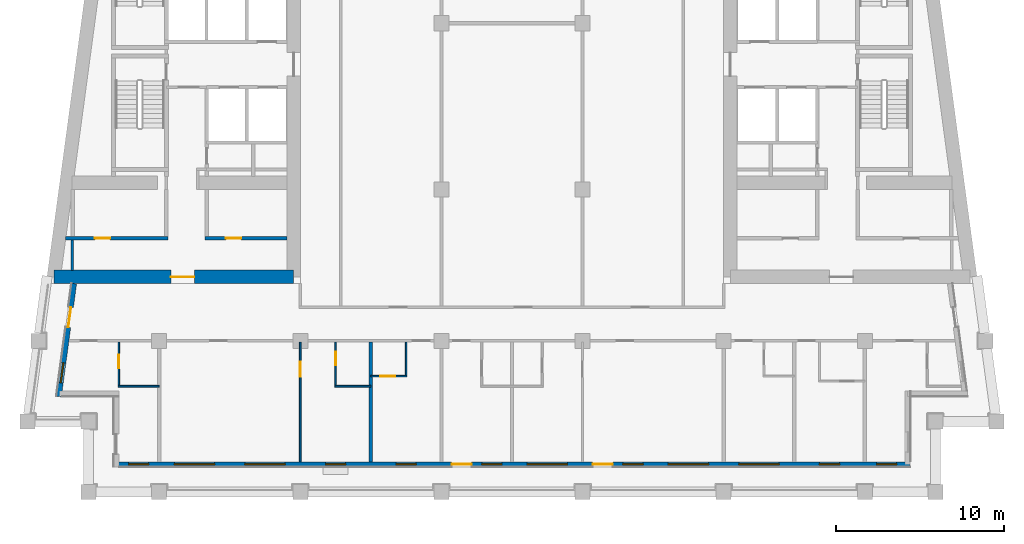
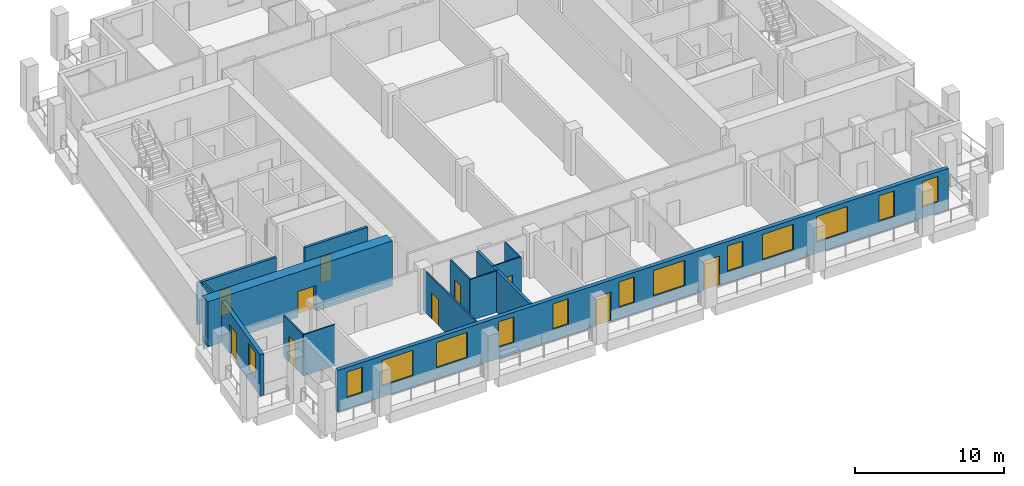
# One storey, part 2 of 12: 14 walls, 13 windows, 10 doors, 23 openings.
"""IFC4 building model written with IfcOpenShell, lengths in metres."""

from ifc_helpers import new_model, si_unit, direction, frame, frame_2d, origin, place, context, subcontext, project, spatial, rectangle, extrude, material, layer, layer_set, type_object, element, fill, save


model = new_model("IFC4")

# Units and contexts
model_context = context("Model", 3, precision=1e-05, world=origin(), true_north=direction((0.0, 1.0)))
body_context = subcontext(model_context, "Body", "Model", "MODEL_VIEW")
ifc_project = project(units=[si_unit("LENGTHUNIT", "METRE"), si_unit("AREAUNIT", "SQUARE_METRE"), si_unit("VOLUMEUNIT", "CUBIC_METRE"), si_unit("PLANEANGLEUNIT", "RADIAN"), si_unit("MASSUNIT", "GRAM", prefix="KILO")], contexts=[model_context])

# Site, building, storey
site_placement = place(None, origin())
site = spatial("IfcSite", under=ifc_project, at=site_placement, CompositionType="ELEMENT")
building_placement = place(site_placement, origin())
building = spatial("IfcBuilding", under=site, at=building_placement, Name="Candeia Pilgrim Tower and Theatre", CompositionType="ELEMENT")
storey_placement = place(building_placement, frame((0.0, 0.0, 231.800048828125)))
storey = spatial("IfcBuildingStorey", under=building, at=storey_placement, Name="L56", CompositionType="ELEMENT", Elevation=231.800048828125)

# Wall, opening, door
ifc_material_1 = material(Name="Concrete C50/60", Category="concrete")
ifc_layer_1 = layer(ifc_material_1, 0.800048828125)
ifc_layer_set_1 = layer_set([ifc_layer_1], Name="Core wall 800 C50/60")
wall_type_1 = type_object("IfcWallType", Name="Core wall 800 C50/60", PredefinedType="SHEAR", material=ifc_layer_set_1)
wall_1_placement = place(storey_placement, frame((100.39990234375, 110.800048828125, 0.0), z_axis=(0.0, 0.0, 1.0), x_axis=(-1.0, 0.0, 0.0)))
wall_1 = element("IfcWall", 1, at=wall_1_placement, inside=storey, type_object=wall_type_1, Name="Core wall W3", PredefinedType="SHEAR", context=body_context, shape_type="SweptSolid", body=[
    extrude(rectangle(XDim=14.273193359375, YDim=0.800048828125, at=frame_2d((7.13671875, 0.0))), origin(), (0.0, 0.0, 1.0), 3.699951171875),
])
opening_1_placement = place(wall_1_placement, frame((5.907958984375, 0.0, 0.0)))
opening_1 = element("IfcOpeningElement", 2, at=opening_1_placement, cuts=wall_1, Name="Opening L56-D045", PredefinedType="OPENING", context=body_context, shape_type="SweptSolid", body=[
    extrude(rectangle(XDim=1.39990234375, YDim=2.10009765625, at=frame_2d((0.699951171875, 1.050048828125))), frame((0.0, 0.41015625, 0.0), z_axis=(0.0, -1.0, 0.0), x_axis=(1.0, 0.0, 0.0)), (0.0, 0.0, 1.0), 0.820068359375),
])
ifc_material_2 = material(Name="Steel fire door set", Category="steel")
door_type_1 = type_object("IfcDoorType", Name="D-1400-FD60", OperationType="NOTDEFINED", PredefinedType="DOOR", material=ifc_material_2)
door_1_placement = place(opening_1_placement, origin())
door_1 = element("IfcDoor", 3, at=door_1_placement, inside=storey, type_object=door_type_1, Name="Door L56-D045", OperationType="SINGLE_SWING_LEFT", OverallHeight=2.10009765625, OverallWidth=1.39990234375, PredefinedType="DOOR", context=body_context, shape_type="SweptSolid", body=[
    extrude(rectangle(XDim=1.39990234375, YDim=2.10009765625, at=frame_2d((0.699951171875, 1.050048828125))), frame((0.0, 0.02490234375, 0.0), z_axis=(0.0, -1.0, 0.0), x_axis=(1.0, 0.0, 0.0)), (0.0, 0.0, 1.0), 0.050048828125),
])
fill(opening_1, door_1)

# Wall, openings, doors, windows
ifc_material_3 = material(Name="Ceramic block masonry", Category="masonry")
ifc_layer_2 = layer(ifc_material_3, 0.300048828125)
ifc_layer_set_2 = layer_set([ifc_layer_2], Name="EW1 glazing-line wall 300")
wall_type_2 = type_object("IfcWallType", Name="EW1 glazing-line wall 300", PredefinedType="SOLIDWALL", material=ifc_layer_set_2)
wall_2_placement = place(storey_placement, frame((89.85009765625, 99.64990234375, 0.0), z_axis=(0.0, 0.0, 1.0), x_axis=(1.0, 0.0, 0.0)))
wall_2 = element("IfcWall", 4, at=wall_2_placement, inside=storey, type_object=wall_type_2, Name="External wall L56-0.0", PredefinedType="SOLIDWALL", context=body_context, shape_type="SweptSolid", body=[
    extrude(rectangle(XDim=47.25, YDim=0.300048828125, at=frame_2d((23.625, 0.0))), origin(), (0.0, 0.0, 1.0), 3.3798828125),
])
opening_2_placement = place(wall_2_placement, frame((0.72509765625, 0.0, 0.89990234375)))
opening_2 = element("IfcOpeningElement", 5, at=opening_2_placement, cuts=wall_2, Name="Opening W-B", PredefinedType="OPENING", context=body_context, shape_type="SweptSolid", body=[
    extrude(rectangle(XDim=1.199951171875, YDim=2.10009765625, at=frame_2d((0.60009765625, 1.050048828125))), frame((0.0, 0.16015625, 0.0), z_axis=(0.0, -1.0, 0.0), x_axis=(1.0, 0.0, 0.0)), (0.0, 0.0, 1.0), 0.320068359375),
])
opening_3_placement = place(wall_2_placement, frame((3.449951171875, 0.0, 0.89990234375)))
opening_3 = element("IfcOpeningElement", 6, at=opening_3_placement, cuts=wall_2, Name="Opening W-A", PredefinedType="OPENING", context=body_context, shape_type="SweptSolid", body=[
    extrude(rectangle(XDim=2.39990234375, YDim=2.10009765625, at=frame_2d((1.199951171875, 1.050048828125))), frame((0.0, 0.16015625, 0.0), z_axis=(0.0, -1.0, 0.0), x_axis=(1.0, 0.0, 0.0)), (0.0, 0.0, 1.0), 0.320068359375),
])
opening_4_placement = place(wall_2_placement, frame((7.64990234375, 0.0, 0.89990234375)))
opening_4 = element("IfcOpeningElement", 7, at=opening_4_placement, cuts=wall_2, Name="Opening W-A", PredefinedType="OPENING", context=body_context, shape_type="SweptSolid", body=[
    extrude(rectangle(XDim=2.39990234375, YDim=2.10009765625, at=frame_2d((1.199951171875, 1.050048828125))), frame((0.0, 0.16015625, 0.0), z_axis=(0.0, -1.0, 0.0), x_axis=(1.0, 0.0, 0.0)), (0.0, 0.0, 1.0), 0.320068359375),
])
opening_5_placement = place(wall_2_placement, frame((12.449951171875, 0.0, 0.89990234375)))
opening_5 = element("IfcOpeningElement", 8, at=opening_5_placement, cuts=wall_2, Name="Opening W-B", PredefinedType="OPENING", context=body_context, shape_type="SweptSolid", body=[
    extrude(rectangle(XDim=1.199951171875, YDim=2.10009765625, at=frame_2d((0.60009765625, 1.050048828125))), frame((0.0, 0.16015625, 0.0), z_axis=(0.0, -1.0, 0.0), x_axis=(1.0, 0.0, 0.0)), (0.0, 0.0, 1.0), 0.320068359375),
])
opening_6_placement = place(wall_2_placement, frame((16.64990234375, 0.0, 0.89990234375)))
opening_6 = element("IfcOpeningElement", 9, at=opening_6_placement, cuts=wall_2, Name="Opening W-B", PredefinedType="OPENING", context=body_context, shape_type="SweptSolid", body=[
    extrude(rectangle(XDim=1.199951171875, YDim=2.10009765625, at=frame_2d((0.60009765625, 1.050048828125))), frame((0.0, 0.16015625, 0.0), z_axis=(0.0, -1.0, 0.0), x_axis=(1.0, 0.0, 0.0)), (0.0, 0.0, 1.0), 0.320068359375),
])
opening_7_placement = place(wall_2_placement, frame((19.949951171875, 0.0, 0.0)))
opening_7 = element("IfcOpeningElement", 10, at=opening_7_placement, cuts=wall_2, Name="Opening L56-ED535", PredefinedType="OPENING", context=body_context, shape_type="SweptSolid", body=[
    extrude(rectangle(XDim=1.199951171875, YDim=2.39990234375, at=frame_2d((0.60009765625, 1.199951171875))), frame((0.0, 0.16015625, 0.0), z_axis=(0.0, -1.0, 0.0), x_axis=(1.0, 0.0, 0.0)), (0.0, 0.0, 1.0), 0.320068359375),
])
opening_8_placement = place(wall_2_placement, frame((21.75, 0.0, 0.89990234375)))
opening_8 = element("IfcOpeningElement", 11, at=opening_8_placement, cuts=wall_2, Name="Opening W-B", PredefinedType="OPENING", context=body_context, shape_type="SweptSolid", body=[
    extrude(rectangle(XDim=1.199951171875, YDim=2.10009765625, at=frame_2d((0.60009765625, 1.050048828125))), frame((0.0, 0.16015625, 0.0), z_axis=(0.0, -1.0, 0.0), x_axis=(1.0, 0.0, 0.0)), (0.0, 0.0, 1.0), 0.320068359375),
])
opening_9_placement = place(wall_2_placement, frame((24.449951171875, 0.0, 0.89990234375)))
opening_9 = element("IfcOpeningElement", 12, at=opening_9_placement, cuts=wall_2, Name="Opening W-A", PredefinedType="OPENING", context=body_context, shape_type="SweptSolid", body=[
    extrude(rectangle(XDim=2.39990234375, YDim=2.10009765625, at=frame_2d((1.199951171875, 1.050048828125))), frame((0.0, 0.16015625, 0.0), z_axis=(0.0, -1.0, 0.0), x_axis=(1.0, 0.0, 0.0)), (0.0, 0.0, 1.0), 0.320068359375),
])
opening_10_placement = place(wall_2_placement, frame((28.35009765625, 0.0, 0.0)))
opening_10 = element("IfcOpeningElement", 13, at=opening_10_placement, cuts=wall_2, Name="Opening L56-ED536", PredefinedType="OPENING", context=body_context, shape_type="SweptSolid", body=[
    extrude(rectangle(XDim=1.199951171875, YDim=2.39990234375, at=frame_2d((0.60009765625, 1.199951171875))), frame((0.0, 0.16015625, 0.0), z_axis=(0.0, -1.0, 0.0), x_axis=(1.0, 0.0, 0.0)), (0.0, 0.0, 1.0), 0.320068359375),
])
opening_11_placement = place(wall_2_placement, frame((30.14990234375, 0.0, 0.89990234375)))
opening_11 = element("IfcOpeningElement", 14, at=opening_11_placement, cuts=wall_2, Name="Opening W-B", PredefinedType="OPENING", context=body_context, shape_type="SweptSolid", body=[
    extrude(rectangle(XDim=1.199951171875, YDim=2.10009765625, at=frame_2d((0.60009765625, 1.050048828125))), frame((0.0, 0.16015625, 0.0), z_axis=(0.0, -1.0, 0.0), x_axis=(1.0, 0.0, 0.0)), (0.0, 0.0, 1.0), 0.320068359375),
])
opening_12_placement = place(wall_2_placement, frame((32.85009765625, 0.0, 0.89990234375)))
opening_12 = element("IfcOpeningElement", 15, at=opening_12_placement, cuts=wall_2, Name="Opening W-A", PredefinedType="OPENING", context=body_context, shape_type="SweptSolid", body=[
    extrude(rectangle(XDim=2.39990234375, YDim=2.10009765625, at=frame_2d((1.199951171875, 1.050048828125))), frame((0.0, 0.16015625, 0.0), z_axis=(0.0, -1.0, 0.0), x_axis=(1.0, 0.0, 0.0)), (0.0, 0.0, 1.0), 0.320068359375),
])
opening_13_placement = place(wall_2_placement, frame((37.050048828125, 0.0, 0.89990234375)))
opening_13 = element("IfcOpeningElement", 16, at=opening_13_placement, cuts=wall_2, Name="Opening W-A", PredefinedType="OPENING", context=body_context, shape_type="SweptSolid", body=[
    extrude(rectangle(XDim=2.39990234375, YDim=2.10009765625, at=frame_2d((1.199951171875, 1.050048828125))), frame((0.0, 0.16015625, 0.0), z_axis=(0.0, -1.0, 0.0), x_axis=(1.0, 0.0, 0.0)), (0.0, 0.0, 1.0), 0.320068359375),
])
opening_14_placement = place(wall_2_placement, frame((41.85009765625, 0.0, 0.89990234375)))
opening_14 = element("IfcOpeningElement", 17, at=opening_14_placement, cuts=wall_2, Name="Opening W-B", PredefinedType="OPENING", context=body_context, shape_type="SweptSolid", body=[
    extrude(rectangle(XDim=1.199951171875, YDim=2.10009765625, at=frame_2d((0.60009765625, 1.050048828125))), frame((0.0, 0.16015625, 0.0), z_axis=(0.0, -1.0, 0.0), x_axis=(1.0, 0.0, 0.0)), (0.0, 0.0, 1.0), 0.320068359375),
])
opening_15_placement = place(wall_2_placement, frame((45.25, 0.0, 0.89990234375)))
opening_15 = element("IfcOpeningElement", 18, at=opening_15_placement, cuts=wall_2, Name="Opening W-B", PredefinedType="OPENING", context=body_context, shape_type="SweptSolid", body=[
    extrude(rectangle(XDim=1.199951171875, YDim=2.10009765625, at=frame_2d((0.60009765625, 1.050048828125))), frame((0.0, 0.16015625, 0.0), z_axis=(0.0, -1.0, 0.0), x_axis=(1.0, 0.0, 0.0)), (0.0, 0.0, 1.0), 0.320068359375),
])
ifc_material_4 = material(Name="Aluminium framed glazed door", Category="aluminium")
door_type_2 = type_object("IfcDoorType", Name="Loggia door 1200x2400", OperationType="DOUBLE_DOOR_SINGLE_SWING", PredefinedType="DOOR", material=ifc_material_4)
door_2_placement = place(opening_7_placement, origin())
door_2 = element("IfcDoor", 19, at=door_2_placement, inside=storey, type_object=door_type_2, Name="Loggia door L56-ED535", OperationType="DOUBLE_DOOR_SINGLE_SWING", OverallHeight=2.39990234375, OverallWidth=1.199951171875, PredefinedType="DOOR", context=body_context, shape_type="SweptSolid", body=[
    extrude(rectangle(XDim=1.199951171875, YDim=2.39990234375, at=frame_2d((0.60009765625, 1.199951171875))), frame((0.0, 0.02490234375, 0.0), z_axis=(0.0, -1.0, 0.0), x_axis=(1.0, 0.0, 0.0)), (0.0, 0.0, 1.0), 0.050048828125),
])
fill(opening_7, door_2)
door_3_placement = place(opening_10_placement, origin())
door_3 = element("IfcDoor", 20, at=door_3_placement, inside=storey, type_object=door_type_2, Name="Loggia door L56-ED536", OperationType="DOUBLE_DOOR_SINGLE_SWING", OverallHeight=2.39990234375, OverallWidth=1.199951171875, PredefinedType="DOOR", context=body_context, shape_type="SweptSolid", body=[
    extrude(rectangle(XDim=1.199951171875, YDim=2.39990234375, at=frame_2d((0.60009765625, 1.199951171875))), frame((0.0, 0.02490234375, 0.0), z_axis=(0.0, -1.0, 0.0), x_axis=(1.0, 0.0, 0.0)), (0.0, 0.0, 1.0), 0.050048828125),
])
fill(opening_10, door_3)
ifc_material_5 = material(Name="Aluminium framed double glazing", Category="aluminium")
window_type_1 = type_object("IfcWindowType", Name="W-A window 2400x2100", PartitioningType="DOUBLE_PANEL_VERTICAL", PredefinedType="WINDOW", material=ifc_material_5)
window_1_placement = place(opening_3_placement, origin())
window_1 = element("IfcWindow", 21, at=window_1_placement, inside=storey, type_object=window_type_1, Name="Window W-A L56", OverallHeight=2.10009765625, OverallWidth=2.39990234375, PartitioningType="SINGLE_PANEL", PredefinedType="WINDOW", context=body_context, shape_type="SweptSolid", body=[
    extrude(rectangle(XDim=2.39990234375, YDim=2.10009765625, at=frame_2d((1.199951171875, 1.050048828125))), frame((0.0, 0.030029296875, 0.0), z_axis=(0.0, -1.0, 0.0), x_axis=(1.0, 0.0, 0.0)), (0.0, 0.0, 1.0), 0.06005859375),
])
fill(opening_3, window_1)
window_2_placement = place(opening_4_placement, origin())
window_2 = element("IfcWindow", 22, at=window_2_placement, inside=storey, type_object=window_type_1, Name="Window W-A L56", OverallHeight=2.10009765625, OverallWidth=2.39990234375, PartitioningType="SINGLE_PANEL", PredefinedType="WINDOW", context=body_context, shape_type="SweptSolid", body=[
    extrude(rectangle(XDim=2.39990234375, YDim=2.10009765625, at=frame_2d((1.199951171875, 1.050048828125))), frame((0.0, 0.030029296875, 0.0), z_axis=(0.0, -1.0, 0.0), x_axis=(1.0, 0.0, 0.0)), (0.0, 0.0, 1.0), 0.06005859375),
])
fill(opening_4, window_2)
window_3_placement = place(opening_9_placement, origin())
window_3 = element("IfcWindow", 23, at=window_3_placement, inside=storey, type_object=window_type_1, Name="Window W-A L56", OverallHeight=2.10009765625, OverallWidth=2.39990234375, PartitioningType="SINGLE_PANEL", PredefinedType="WINDOW", context=body_context, shape_type="SweptSolid", body=[
    extrude(rectangle(XDim=2.39990234375, YDim=2.10009765625, at=frame_2d((1.199951171875, 1.050048828125))), frame((0.0, 0.030029296875, 0.0), z_axis=(0.0, -1.0, 0.0), x_axis=(1.0, 0.0, 0.0)), (0.0, 0.0, 1.0), 0.06005859375),
])
fill(opening_9, window_3)
window_4_placement = place(opening_12_placement, origin())
window_4 = element("IfcWindow", 24, at=window_4_placement, inside=storey, type_object=window_type_1, Name="Window W-A L56", OverallHeight=2.10009765625, OverallWidth=2.39990234375, PartitioningType="SINGLE_PANEL", PredefinedType="WINDOW", context=body_context, shape_type="SweptSolid", body=[
    extrude(rectangle(XDim=2.39990234375, YDim=2.10009765625, at=frame_2d((1.199951171875, 1.050048828125))), frame((0.0, 0.030029296875, 0.0), z_axis=(0.0, -1.0, 0.0), x_axis=(1.0, 0.0, 0.0)), (0.0, 0.0, 1.0), 0.06005859375),
])
fill(opening_12, window_4)
window_5_placement = place(opening_13_placement, origin())
window_5 = element("IfcWindow", 25, at=window_5_placement, inside=storey, type_object=window_type_1, Name="Window W-A L56", OverallHeight=2.10009765625, OverallWidth=2.39990234375, PartitioningType="SINGLE_PANEL", PredefinedType="WINDOW", context=body_context, shape_type="SweptSolid", body=[
    extrude(rectangle(XDim=2.39990234375, YDim=2.10009765625, at=frame_2d((1.199951171875, 1.050048828125))), frame((0.0, 0.030029296875, 0.0), z_axis=(0.0, -1.0, 0.0), x_axis=(1.0, 0.0, 0.0)), (0.0, 0.0, 1.0), 0.06005859375),
])
fill(opening_13, window_5)
window_type_2 = type_object("IfcWindowType", Name="W-B window 1200x2100", PartitioningType="SINGLE_PANEL", PredefinedType="WINDOW", material=ifc_material_5)
window_6_placement = place(opening_2_placement, origin())
window_6 = element("IfcWindow", 26, at=window_6_placement, inside=storey, type_object=window_type_2, Name="Window W-B L56", OverallHeight=2.10009765625, OverallWidth=1.199951171875, PartitioningType="SINGLE_PANEL", PredefinedType="WINDOW", context=body_context, shape_type="SweptSolid", body=[
    extrude(rectangle(XDim=1.199951171875, YDim=2.10009765625, at=frame_2d((0.60009765625, 1.050048828125))), frame((0.0, 0.030029296875, 0.0), z_axis=(0.0, -1.0, 0.0), x_axis=(1.0, 0.0, 0.0)), (0.0, 0.0, 1.0), 0.06005859375),
])
fill(opening_2, window_6)
window_7_placement = place(opening_5_placement, origin())
window_7 = element("IfcWindow", 27, at=window_7_placement, inside=storey, type_object=window_type_2, Name="Window W-B L56", OverallHeight=2.10009765625, OverallWidth=1.199951171875, PartitioningType="SINGLE_PANEL", PredefinedType="WINDOW", context=body_context, shape_type="SweptSolid", body=[
    extrude(rectangle(XDim=1.199951171875, YDim=2.10009765625, at=frame_2d((0.60009765625, 1.050048828125))), frame((0.0, 0.030029296875, 0.0), z_axis=(0.0, -1.0, 0.0), x_axis=(1.0, 0.0, 0.0)), (0.0, 0.0, 1.0), 0.06005859375),
])
fill(opening_5, window_7)
window_8_placement = place(opening_6_placement, origin())
window_8 = element("IfcWindow", 28, at=window_8_placement, inside=storey, type_object=window_type_2, Name="Window W-B L56", OverallHeight=2.10009765625, OverallWidth=1.199951171875, PartitioningType="SINGLE_PANEL", PredefinedType="WINDOW", context=body_context, shape_type="SweptSolid", body=[
    extrude(rectangle(XDim=1.199951171875, YDim=2.10009765625, at=frame_2d((0.60009765625, 1.050048828125))), frame((0.0, 0.030029296875, 0.0), z_axis=(0.0, -1.0, 0.0), x_axis=(1.0, 0.0, 0.0)), (0.0, 0.0, 1.0), 0.06005859375),
])
fill(opening_6, window_8)
window_9_placement = place(opening_8_placement, origin())
window_9 = element("IfcWindow", 29, at=window_9_placement, inside=storey, type_object=window_type_2, Name="Window W-B L56", OverallHeight=2.10009765625, OverallWidth=1.199951171875, PartitioningType="SINGLE_PANEL", PredefinedType="WINDOW", context=body_context, shape_type="SweptSolid", body=[
    extrude(rectangle(XDim=1.199951171875, YDim=2.10009765625, at=frame_2d((0.60009765625, 1.050048828125))), frame((0.0, 0.030029296875, 0.0), z_axis=(0.0, -1.0, 0.0), x_axis=(1.0, 0.0, 0.0)), (0.0, 0.0, 1.0), 0.06005859375),
])
fill(opening_8, window_9)
window_10_placement = place(opening_11_placement, origin())
window_10 = element("IfcWindow", 30, at=window_10_placement, inside=storey, type_object=window_type_2, Name="Window W-B L56", OverallHeight=2.10009765625, OverallWidth=1.199951171875, PartitioningType="SINGLE_PANEL", PredefinedType="WINDOW", context=body_context, shape_type="SweptSolid", body=[
    extrude(rectangle(XDim=1.199951171875, YDim=2.10009765625, at=frame_2d((0.60009765625, 1.050048828125))), frame((0.0, 0.030029296875, 0.0), z_axis=(0.0, -1.0, 0.0), x_axis=(1.0, 0.0, 0.0)), (0.0, 0.0, 1.0), 0.06005859375),
])
fill(opening_11, window_10)
window_11_placement = place(opening_14_placement, origin())
window_11 = element("IfcWindow", 31, at=window_11_placement, inside=storey, type_object=window_type_2, Name="Window W-B L56", OverallHeight=2.10009765625, OverallWidth=1.199951171875, PartitioningType="SINGLE_PANEL", PredefinedType="WINDOW", context=body_context, shape_type="SweptSolid", body=[
    extrude(rectangle(XDim=1.199951171875, YDim=2.10009765625, at=frame_2d((0.60009765625, 1.050048828125))), frame((0.0, 0.030029296875, 0.0), z_axis=(0.0, -1.0, 0.0), x_axis=(1.0, 0.0, 0.0)), (0.0, 0.0, 1.0), 0.06005859375),
])
fill(opening_14, window_11)
window_12_placement = place(opening_15_placement, origin())
window_12 = element("IfcWindow", 32, at=window_12_placement, inside=storey, type_object=window_type_2, Name="Window W-B L56", OverallHeight=2.10009765625, OverallWidth=1.199951171875, PartitioningType="SINGLE_PANEL", PredefinedType="WINDOW", context=body_context, shape_type="SweptSolid", body=[
    extrude(rectangle(XDim=1.199951171875, YDim=2.10009765625, at=frame_2d((0.60009765625, 1.050048828125))), frame((0.0, 0.030029296875, 0.0), z_axis=(0.0, -1.0, 0.0), x_axis=(1.0, 0.0, 0.0)), (0.0, 0.0, 1.0), 0.06005859375),
])
fill(opening_15, window_12)

# Wall, openings, door, window
wall_3_placement = place(storey_placement, frame((87.334228515625, 110.39990234375, 0.0), z_axis=(0.0, 0.0, 1.0), x_axis=(-0.133437175554, -0.991057273915, 0.0)))
wall_3 = element("IfcWall", 33, at=wall_3_placement, inside=storey, type_object=wall_type_2, Name="External wall L56-9.1", PredefinedType="SOLIDWALL", context=body_context, shape_type="SweptSolid", body=[
    extrude(rectangle(XDim=6.780517578125, YDim=0.300048828125, at=frame_2d((3.39013671875, 0.0))), origin(), (0.0, 0.0, 1.0), 3.3798828125),
])
opening_16_placement = place(wall_3_placement, frame((1.41796875, 0.0, 0.0)))
opening_16 = element("IfcOpeningElement", 34, at=opening_16_placement, cuts=wall_3, Name="Opening L56-ED544", PredefinedType="OPENING", context=body_context, shape_type="SweptSolid", body=[
    extrude(rectangle(XDim=1.199951171875, YDim=2.39990234375, at=frame_2d((0.60009765625, 1.199951171875))), frame((0.0, 0.16015625, 0.0), z_axis=(0.0, -1.0, 0.0), x_axis=(1.0, 0.0, 0.0)), (0.0, 0.0, 1.0), 0.320068359375),
])
opening_17_placement = place(wall_3_placement, frame((4.75830078125, 0.0, 0.89990234375)))
opening_17 = element("IfcOpeningElement", 35, at=opening_17_placement, cuts=wall_3, Name="Opening W-B", PredefinedType="OPENING", context=body_context, shape_type="SweptSolid", body=[
    extrude(rectangle(XDim=1.199951171875, YDim=2.10009765625, at=frame_2d((0.60009765625, 1.050048828125))), frame((0.0, 0.16015625, 0.0), z_axis=(0.0, -1.0, 0.0), x_axis=(1.0, 0.0, 0.0)), (0.0, 0.0, 1.0), 0.320068359375),
])
door_4_placement = place(opening_16_placement, origin())
door_4 = element("IfcDoor", 36, at=door_4_placement, inside=storey, type_object=door_type_2, Name="Loggia door L56-ED544", OperationType="DOUBLE_DOOR_SINGLE_SWING", OverallHeight=2.39990234375, OverallWidth=1.199951171875, PredefinedType="DOOR", context=body_context, shape_type="SweptSolid", body=[
    extrude(rectangle(XDim=1.199951171875, YDim=2.39990234375, at=frame_2d((0.60009765625, 1.199951171875))), frame((0.0, 0.02490234375, 0.0), z_axis=(0.0, -1.0, 0.0), x_axis=(1.0, 0.0, 0.0)), (0.0, 0.0, 1.0), 0.050048828125),
])
fill(opening_16, door_4)
window_13_placement = place(opening_17_placement, origin())
window_13 = element("IfcWindow", 37, at=window_13_placement, inside=storey, type_object=window_type_2, Name="Window W-B L56", OverallHeight=2.10009765625, OverallWidth=1.199951171875, PartitioningType="SINGLE_PANEL", PredefinedType="WINDOW", context=body_context, shape_type="SweptSolid", body=[
    extrude(rectangle(XDim=1.199951171875, YDim=2.10009765625, at=frame_2d((0.60009765625, 1.050048828125))), frame((0.0, 0.030029296875, 0.0), z_axis=(0.0, -1.0, 0.0), x_axis=(1.0, 0.0, 0.0)), (0.0, 0.0, 1.0), 0.06005859375),
])
fill(opening_17, window_13)

# Walls
ifc_material_6 = material(Name="Gypsum board partition on steel studs", Category="steel")
ifc_layer_3 = layer(ifc_material_6, 0.10009765625)
ifc_layer_set_3 = layer_set([ifc_layer_3], Name="PW-100 room partition")
wall_type_3 = type_object("IfcWallType", Name="PW-100 room partition", PredefinedType="PARTITIONING", material=ifc_layer_set_3)
wall_4_placement = place(storey_placement, frame((89.949951171875, 104.300048828125, 0.0), z_axis=(0.0, 0.0, 1.0), x_axis=(1.0, 0.0, 0.0)))
element("IfcWall", 38, at=wall_4_placement, inside=storey, type_object=wall_type_3, Name="Room partition L56-001", PredefinedType="PARTITIONING", context=body_context, shape_type="SweptSolid", body=[
    extrude(rectangle(XDim=2.449951171875, YDim=0.10009765625, at=frame_2d((1.22509765625, 0.0))), origin(), (0.0, 0.0, 1.0), 3.3798828125),
])
wall_5_placement = place(storey_placement, frame((102.85009765625, 104.300048828125, 0.0), z_axis=(0.0, 0.0, 1.0), x_axis=(1.0, 0.0, 0.0)))
element("IfcWall", 39, at=wall_5_placement, inside=storey, type_object=wall_type_3, Name="Room partition L56-002", PredefinedType="PARTITIONING", context=body_context, shape_type="SweptSolid", body=[
    extrude(rectangle(XDim=2.14990234375, YDim=0.10009765625, at=frame_2d((1.074951171875, 0.0))), origin(), (0.0, 0.0, 1.0), 3.3798828125),
])

# Wall, opening, door
wall_6_placement = place(storey_placement, frame((105.0, 104.89990234375, 0.0), z_axis=(0.0, 0.0, 1.0), x_axis=(1.0, 0.0, 0.0)))
wall_6 = element("IfcWall", 40, at=wall_6_placement, inside=storey, type_object=wall_type_3, Name="Room partition L56-006", PredefinedType="PARTITIONING", context=body_context, shape_type="SweptSolid", body=[
    extrude(rectangle(XDim=2.14990234375, YDim=0.10009765625, at=frame_2d((1.074951171875, 0.0))), origin(), (0.0, 0.0, 1.0), 3.3798828125),
])
opening_18_placement = place(wall_6_placement, frame((0.550048828125, 0.0, 0.0)))
opening_18 = element("IfcOpeningElement", 41, at=opening_18_placement, cuts=wall_6, Name="Opening L56-D019", PredefinedType="OPENING", context=body_context, shape_type="SweptSolid", body=[
    extrude(rectangle(XDim=0.89990234375, YDim=2.10009765625, at=frame_2d((0.449951171875, 1.050048828125))), frame((0.0, 0.06005859375, 0.0), z_axis=(0.0, -1.0, 0.0), x_axis=(1.0, 0.0, 0.0)), (0.0, 0.0, 1.0), 0.1201171875),
])
ifc_material_7 = material(Name="Timber door leaf", Category="wood")
door_type_3 = type_object("IfcDoorType", Name="D-900", OperationType="NOTDEFINED", PredefinedType="DOOR", material=ifc_material_7)
door_5_placement = place(opening_18_placement, origin())
door_5 = element("IfcDoor", 42, at=door_5_placement, inside=storey, type_object=door_type_3, Name="Door L56-D019", OperationType="SINGLE_SWING_LEFT", OverallHeight=2.10009765625, OverallWidth=0.89990234375, PredefinedType="DOOR", context=body_context, shape_type="SweptSolid", body=[
    extrude(rectangle(XDim=0.89990234375, YDim=2.10009765625, at=frame_2d((0.449951171875, 1.050048828125))), frame((0.0, 0.02490234375, 0.0), z_axis=(0.0, -1.0, 0.0), x_axis=(1.0, 0.0, 0.0)), (0.0, 0.0, 1.0), 0.050048828125),
])
fill(opening_18, door_5)

wall_7_placement = place(storey_placement, frame((90.0, 104.35009765625, 0.0), z_axis=(0.0, 0.0, 1.0), x_axis=(0.0, 1.0, 0.0)))
wall_7 = element("IfcWall", 43, at=wall_7_placement, inside=storey, type_object=wall_type_3, Name="Room partition L56-048", PredefinedType="PARTITIONING", context=body_context, shape_type="SweptSolid", body=[
    extrude(rectangle(XDim=2.574951171875, YDim=0.10009765625, at=frame_2d((1.28759765625, 0.0))), origin(), (0.0, 0.0, 1.0), 3.3798828125),
])
opening_19_placement = place(wall_7_placement, frame((1.02001953125, 0.0, 0.0)))
opening_19 = element("IfcOpeningElement", 44, at=opening_19_placement, cuts=wall_7, Name="Opening L56-D014", PredefinedType="OPENING", context=body_context, shape_type="SweptSolid", body=[
    extrude(rectangle(XDim=0.800048828125, YDim=2.10009765625, at=frame_2d((0.39990234375, 1.050048828125))), frame((0.0, 0.06005859375, 0.0), z_axis=(0.0, -1.0, 0.0), x_axis=(1.0, 0.0, 0.0)), (0.0, 0.0, 1.0), 0.1201171875),
])
door_type_4 = type_object("IfcDoorType", Name="D-800", OperationType="NOTDEFINED", PredefinedType="DOOR", material=ifc_material_7)
door_6_placement = place(opening_19_placement, origin())
door_6 = element("IfcDoor", 45, at=door_6_placement, inside=storey, type_object=door_type_4, Name="Door L56-D014", OperationType="SINGLE_SWING_RIGHT", OverallHeight=2.10009765625, OverallWidth=0.800048828125, PredefinedType="DOOR", context=body_context, shape_type="SweptSolid", body=[
    extrude(rectangle(XDim=0.800048828125, YDim=2.10009765625, at=frame_2d((0.39990234375, 1.050048828125))), frame((0.0, 0.02490234375, 0.0), z_axis=(0.0, -1.0, 0.0), x_axis=(1.0, 0.0, 0.0)), (0.0, 0.0, 1.0), 0.050048828125),
])
fill(opening_19, door_6)

wall_8_placement = place(storey_placement, frame((100.800048828125, 99.7900390625, 0.0), z_axis=(0.0, 0.0, 1.0), x_axis=(0.0, 1.0, 0.0)))
wall_8 = element("IfcWall", 46, at=wall_8_placement, inside=storey, type_object=wall_type_3, Name="Room partition L56-064", PredefinedType="PARTITIONING", context=body_context, shape_type="SweptSolid", body=[
    extrude(rectangle(XDim=7.135009765625, YDim=0.10009765625, at=frame_2d((3.5673828125, 0.0))), origin(), (0.0, 0.0, 1.0), 3.3798828125),
])
opening_20_placement = place(wall_8_placement, frame((5.074951171875, 0.0, 0.0)))
opening_20 = element("IfcOpeningElement", 47, at=opening_20_placement, cuts=wall_8, Name="Opening L56-D016", PredefinedType="OPENING", context=body_context, shape_type="SweptSolid", body=[
    extrude(rectangle(XDim=0.89990234375, YDim=2.10009765625, at=frame_2d((0.449951171875, 1.050048828125))), frame((0.0, 0.06005859375, 0.0), z_axis=(0.0, -1.0, 0.0), x_axis=(1.0, 0.0, 0.0)), (0.0, 0.0, 1.0), 0.1201171875),
])
door_7_placement = place(opening_20_placement, origin())
door_7 = element("IfcDoor", 48, at=door_7_placement, inside=storey, type_object=door_type_3, Name="Door L56-D016", OperationType="SINGLE_SWING_RIGHT", OverallHeight=2.10009765625, OverallWidth=0.89990234375, PredefinedType="DOOR", context=body_context, shape_type="SweptSolid", body=[
    extrude(rectangle(XDim=0.89990234375, YDim=2.10009765625, at=frame_2d((0.449951171875, 1.050048828125))), frame((0.0, 0.02490234375, 0.0), z_axis=(0.0, -1.0, 0.0), x_axis=(1.0, 0.0, 0.0)), (0.0, 0.0, 1.0), 0.050048828125),
])
fill(opening_20, door_7)

wall_9_placement = place(storey_placement, frame((102.89990234375, 104.35009765625, 0.0), z_axis=(0.0, 0.0, 1.0), x_axis=(0.0, 1.0, 0.0)))
wall_9 = element("IfcWall", 49, at=wall_9_placement, inside=storey, type_object=wall_type_3, Name="Room partition L56-068", PredefinedType="PARTITIONING", context=body_context, shape_type="SweptSolid", body=[
    extrude(rectangle(XDim=2.574951171875, YDim=0.10009765625, at=frame_2d((1.28759765625, 0.0))), origin(), (0.0, 0.0, 1.0), 3.3798828125),
])
opening_21_placement = place(wall_9_placement, frame((1.199951171875, 0.0, 0.0)))
opening_21 = element("IfcOpeningElement", 50, at=opening_21_placement, cuts=wall_9, Name="Opening L56-D017", PredefinedType="OPENING", context=body_context, shape_type="SweptSolid", body=[
    extrude(rectangle(XDim=0.800048828125, YDim=2.10009765625, at=frame_2d((0.39990234375, 1.050048828125))), frame((0.0, 0.06005859375, 0.0), z_axis=(0.0, -1.0, 0.0), x_axis=(1.0, 0.0, 0.0)), (0.0, 0.0, 1.0), 0.1201171875),
])
door_8_placement = place(opening_21_placement, origin())
door_8 = element("IfcDoor", 51, at=door_8_placement, inside=storey, type_object=door_type_4, Name="Door L56-D017", OperationType="SINGLE_SWING_LEFT", OverallHeight=2.10009765625, OverallWidth=0.800048828125, PredefinedType="DOOR", context=body_context, shape_type="SweptSolid", body=[
    extrude(rectangle(XDim=0.800048828125, YDim=2.10009765625, at=frame_2d((0.39990234375, 1.050048828125))), frame((0.0, 0.02490234375, 0.0), z_axis=(0.0, -1.0, 0.0), x_axis=(1.0, 0.0, 0.0)), (0.0, 0.0, 1.0), 0.050048828125),
])
fill(opening_21, door_8)

# Walls
wall_10_placement = place(storey_placement, frame((107.10009765625, 104.949951171875, 0.0), z_axis=(0.0, 0.0, 1.0), x_axis=(0.0, 1.0, 0.0)))
element("IfcWall", 52, at=wall_10_placement, inside=storey, type_object=wall_type_3, Name="Room partition L56-071", PredefinedType="PARTITIONING", context=body_context, shape_type="SweptSolid", body=[
    extrude(rectangle(XDim=1.97509765625, YDim=0.10009765625, at=frame_2d((0.987548828125, 0.0))), origin(), (0.0, 0.0, 1.0), 3.3798828125),
])
ifc_layer_4 = layer(ifc_material_6, 0.14990234375)
ifc_layer_set_4 = layer_set([ifc_layer_4], Name="PW-150 lobby wall")
wall_type_4 = type_object("IfcWallType", Name="PW-150 lobby wall", PredefinedType="PARTITIONING", material=ifc_layer_set_4)
wall_11_placement = place(storey_placement, frame((87.22705078125, 111.199951171875, 0.0), z_axis=(0.0, 0.0, 1.0), x_axis=(0.0, 1.0, 0.0)))
element("IfcWall", 53, at=wall_11_placement, inside=storey, type_object=wall_type_4, Name="Lobby wall L56-045", PredefinedType="PARTITIONING", context=body_context, shape_type="SweptSolid", body=[
    extrude(rectangle(XDim=1.800048828125, YDim=0.14990234375, at=frame_2d((0.89990234375, 0.0))), origin(), (0.0, 0.0, 1.0), 3.3798828125),
])
ifc_layer_5 = layer(ifc_material_6, 0.199951171875)
ifc_layer_set_5 = layer_set([ifc_layer_5], Name="PW-200 party wall")
wall_type_5 = type_object("IfcWallType", Name="PW-200 party wall", PredefinedType="PARTITIONING", material=ifc_layer_set_5)
wall_12_placement = place(storey_placement, frame((105.0, 99.7900390625, 0.0), z_axis=(0.0, 0.0, 1.0), x_axis=(0.0, 1.0, 0.0)))
element("IfcWall", 54, at=wall_12_placement, inside=storey, type_object=wall_type_5, Name="Party wall L56-070", PredefinedType="PARTITIONING", context=body_context, shape_type="SweptSolid", body=[
    extrude(rectangle(XDim=7.135009765625, YDim=0.199951171875, at=frame_2d((3.5673828125, 0.0))), origin(), (0.0, 0.0, 1.0), 3.3798828125),
])

# Wall, opening, door
ifc_material_8 = material(Name="Concrete C40/50", Category="concrete")
ifc_layer_6 = layer(ifc_material_8, 0.199951171875)
ifc_layer_set_6 = layer_set([ifc_layer_6], Name="SW-200 shaft wall")
wall_type_6 = type_object("IfcWallType", Name="SW-200 shaft wall", PredefinedType="PARTITIONING", material=ifc_layer_set_6)
wall_13_placement = place(storey_placement, frame((86.809814453125, 113.10009765625, 0.0), z_axis=(0.0, 0.0, 1.0), x_axis=(1.0, 0.0, 0.0)))
wall_13 = element("IfcWall", 55, at=wall_13_placement, inside=storey, type_object=wall_type_6, Name="Shaft wall L56-010", PredefinedType="PARTITIONING", context=body_context, shape_type="SweptSolid", body=[
    extrude(rectangle(XDim=6.1171875, YDim=0.199951171875, at=frame_2d((3.05859375, 0.0))), origin(), (0.0, 0.0, 1.0), 3.3798828125),
])
opening_22_placement = place(wall_13_placement, frame((1.76708984375, 0.0, 0.0)))
opening_22 = element("IfcOpeningElement", 56, at=opening_22_placement, cuts=wall_13, Name="Opening L56-D005", PredefinedType="OPENING", context=body_context, shape_type="SweptSolid", body=[
    extrude(rectangle(XDim=0.89990234375, YDim=2.10009765625, at=frame_2d((0.449951171875, 1.050048828125))), frame((0.0, 0.10986328125, 0.0), z_axis=(0.0, -1.0, 0.0), x_axis=(1.0, 0.0, 0.0)), (0.0, 0.0, 1.0), 0.219970703125),
])
door_type_5 = type_object("IfcDoorType", Name="D-900-FD60", OperationType="NOTDEFINED", PredefinedType="DOOR", material=ifc_material_2)
door_9_placement = place(opening_22_placement, origin())
door_9 = element("IfcDoor", 57, at=door_9_placement, inside=storey, type_object=door_type_5, Name="Door L56-D005", OperationType="SINGLE_SWING_LEFT", OverallHeight=2.10009765625, OverallWidth=0.89990234375, PredefinedType="DOOR", context=body_context, shape_type="SweptSolid", body=[
    extrude(rectangle(XDim=0.89990234375, YDim=2.10009765625, at=frame_2d((0.449951171875, 1.050048828125))), frame((0.0, 0.02490234375, 0.0), z_axis=(0.0, -1.0, 0.0), x_axis=(1.0, 0.0, 0.0)), (0.0, 0.0, 1.0), 0.050048828125),
])
fill(opening_22, door_9)

wall_14_placement = place(storey_placement, frame((95.126953125, 113.10009765625, 0.0), z_axis=(0.0, 0.0, 1.0), x_axis=(1.0, 0.0, 0.0)))
wall_14 = element("IfcWall", 58, at=wall_14_placement, inside=storey, type_object=wall_type_6, Name="Shaft wall L56-011", PredefinedType="PARTITIONING", context=body_context, shape_type="SweptSolid", body=[
    extrude(rectangle(XDim=4.873046875, YDim=0.199951171875, at=frame_2d((2.4365234375, 0.0))), origin(), (0.0, 0.0, 1.0), 3.3798828125),
])
opening_23_placement = place(wall_14_placement, frame((1.242919921875, 0.0, 0.0)))
opening_23 = element("IfcOpeningElement", 59, at=opening_23_placement, cuts=wall_14, Name="Opening L56-D006", PredefinedType="OPENING", context=body_context, shape_type="SweptSolid", body=[
    extrude(rectangle(XDim=0.89990234375, YDim=2.10009765625, at=frame_2d((0.449951171875, 1.050048828125))), frame((0.0, 0.10986328125, 0.0), z_axis=(0.0, -1.0, 0.0), x_axis=(1.0, 0.0, 0.0)), (0.0, 0.0, 1.0), 0.219970703125),
])
door_10_placement = place(opening_23_placement, origin())
door_10 = element("IfcDoor", 60, at=door_10_placement, inside=storey, type_object=door_type_5, Name="Door L56-D006", OperationType="SINGLE_SWING_RIGHT", OverallHeight=2.10009765625, OverallWidth=0.89990234375, PredefinedType="DOOR", context=body_context, shape_type="SweptSolid", body=[
    extrude(rectangle(XDim=0.89990234375, YDim=2.10009765625, at=frame_2d((0.449951171875, 1.050048828125))), frame((0.0, 0.02490234375, 0.0), z_axis=(0.0, -1.0, 0.0), x_axis=(1.0, 0.0, 0.0)), (0.0, 0.0, 1.0), 0.050048828125),
])
fill(opening_23, door_10)

save(model, "model.ifc")
